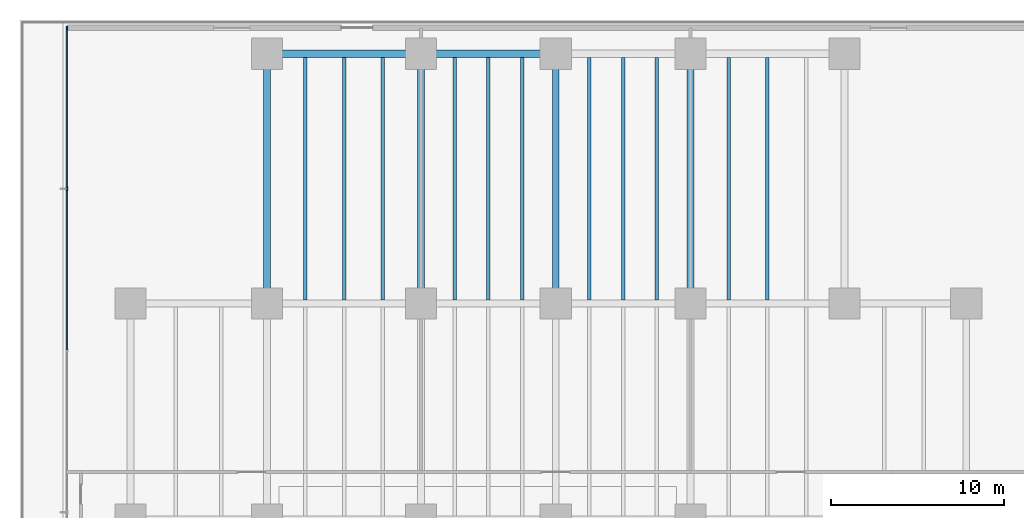
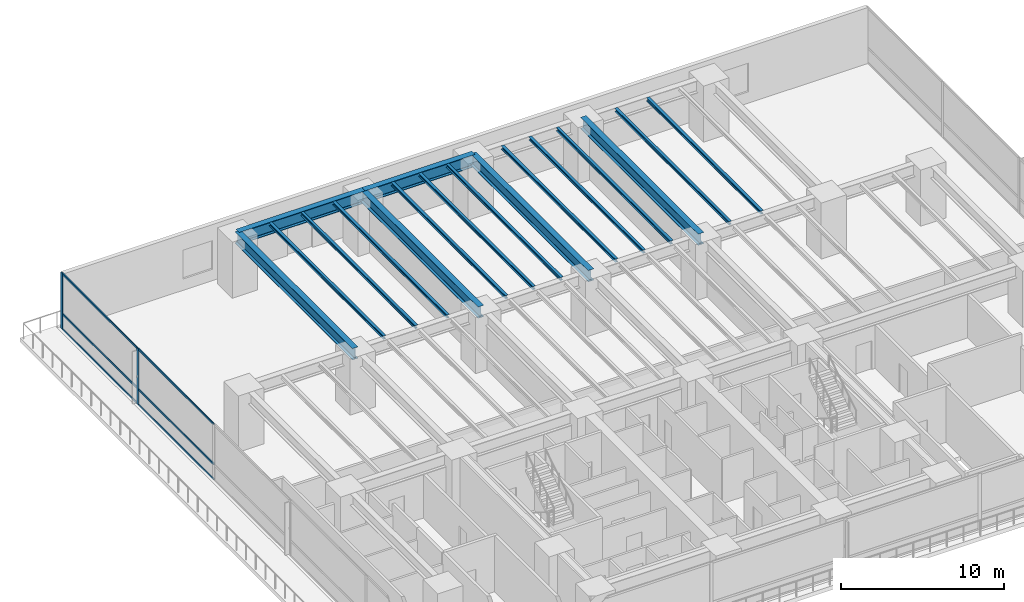
# One storey, part 4 of 21: 17 beams, 8 members, 1 element without a shape of its own.
"""IFC4 building model written with IfcOpenShell, lengths in metres."""

from ifc_helpers import new_model, si_unit, direction, frame, origin, origin_2d, place, context, subcontext, project, spatial, rectangle, i_section, extrude, material, layer, layer_set, material_profile, profile_set, type_object, element, aggregate, save


model = new_model("IFC4")

# Units and contexts
model_context = context("Model", 3, precision=1e-05, world=origin(), true_north=direction((0.0, 1.0)))
body_context = subcontext(model_context, "Body", "Model", "MODEL_VIEW")
ifc_project = project(units=[si_unit("LENGTHUNIT", "METRE"), si_unit("AREAUNIT", "SQUARE_METRE"), si_unit("VOLUMEUNIT", "CUBIC_METRE"), si_unit("PLANEANGLEUNIT", "RADIAN"), si_unit("MASSUNIT", "GRAM", prefix="KILO")], contexts=[model_context])

# Site, building, storey
site_placement = place(None, origin())
site = spatial("IfcSite", under=ifc_project, at=site_placement, CompositionType="ELEMENT")
building_placement = place(site_placement, origin())
building = spatial("IfcBuilding", under=site, at=building_placement, Name="Qalmaran Belvedere Hotel", CompositionType="ELEMENT")
storey_placement = place(building_placement, frame((0.0, 0.0, 23.800048828125)))
storey = spatial("IfcBuildingStorey", under=building, at=storey_placement, Name="L05", CompositionType="ELEMENT", Elevation=23.800048828125)

# Beams
ifc_material_1 = material(Name="Steel S355JR", Category="steel")
ifc_material_profile_1 = material_profile(ifc_material_1, i_section(OverallWidth=0.201904296875, OverallDepth=0.2470703125, WebThickness=0.00732421875, FlangeThickness=0.010986328125, FilletRadius=0.011962890625, at=origin_2d()), Name="W250X49")
ifc_profile_set_1 = profile_set([ifc_material_profile_1], Name="Steel S355JR")
beam_type_1 = type_object("IfcBeamType", Name="BM-JST-W250X49", PredefinedType="JOIST", material=ifc_profile_set_1)
for number, where, z_axis, x_axis, name in (
    (1, (22.5, 33.2080078125, 4.076416015625), (0.0, 1.0, 0.0), (-1.0, 0.0, 0.0), "L05 Podium North-Ballroom Joist 044"),
    (2, (24.75, 33.2080078125, 4.076416015625), (0.0, 1.0, 0.0), (-1.0, 0.0, 0.0), "L05 Podium North-Ballroom Joist 046"),
    (3, (27.0, 33.2080078125, 4.076416015625), (0.0, 1.0, 0.0), (-1.0, 0.0, 0.0), "L05 Podium North-Ballroom Joist 048"),
    (4, (31.14990234375, 33.2080078125, 4.076416015625), (0.0, 1.0, 0.0), (-1.0, 0.0, 0.0), "L05 Podium North-Ballroom Joist 050"),
    (5, (33.10009765625, 33.2080078125, 4.076416015625), (0.0, 1.0, 0.0), (-1.0, 0.0, 0.0), "L05 Podium North-Ballroom Joist 052"),
    (6, (35.050048828125, 33.2080078125, 4.076416015625), (0.0, 1.0, 0.0), (-1.0, 0.0, 0.0), "L05 Podium North-Ballroom Joist 054"),
    (7, (38.949951171875, 33.2080078125, 4.076416015625), (0.0, 1.0, 0.0), (-1.0, 0.0, 0.0), "L05 Podium North-Ballroom Joist 056"),
    (8, (40.89990234375, 33.2080078125, 4.076416015625), (0.0, 1.0, 0.0), (-1.0, 0.0, 0.0), "L05 Podium North-Ballroom Joist 058"),
    (9, (42.85009765625, 33.2080078125, 4.076416015625), (0.0, 1.0, 0.0), (-1.0, 0.0, 0.0), "L05 Podium North-Ballroom Joist 060"),
    (10, (47.0, 33.2080078125, 4.076416015625), (0.0, 1.0, 0.0), (-1.0, 0.0, 0.0), "L05 Podium North-Ballroom Joist 062"),
    (11, (49.25, 33.2080078125, 4.076416015625), (0.0, 1.0, 0.0), (-1.0, 0.0, 0.0), "L05 Podium North-Ballroom Joist 064"),
):
    element("IfcBeam", number, at=place(storey_placement, frame(where, z_axis=z_axis, x_axis=x_axis)), inside=storey, type_object=beam_type_1, Name=name, PredefinedType="JOIST", context=body_context, shape_type="SweptSolid", body=[
        extrude(i_section(OverallWidth=0.201904296875, OverallDepth=0.2470703125, WebThickness=0.00732421875, FlangeThickness=0.010986328125, FilletRadius=0.011962890625, at=origin_2d()), origin(), (0.0, 0.0, 1.0), 14.033935546875),
    ])
ifc_material_profile_2 = material_profile(ifc_material_1, i_section(OverallWidth=0.419921875, OverallDepth=0.9208984375, WebThickness=0.021240234375, FlangeThickness=0.03662109375, FilletRadius=0.02392578125, at=origin_2d()), Name="W920X387")
ifc_profile_set_2 = profile_set([ifc_material_profile_2], Name="Steel S355JR")
beam_type_2 = type_object("IfcBeamType", Name="BM-PG1-W920X387", PredefinedType="USERDEFINED", material=ifc_profile_set_2)
beam_1_placement = place(storey_placement, frame((20.300048828125, 47.449951171875, 3.739501953125), z_axis=(1.0, 0.0, 0.0), x_axis=(0.0, 1.0, 0.0)))
element("IfcBeam", 12, at=beam_1_placement, inside=storey, type_object=beam_type_2, Name="L05 Podium Primary Girder GX18", ObjectType="GIRDER", PredefinedType="USERDEFINED", context=body_context, shape_type="SweptSolid", body=[
    extrude(i_section(OverallWidth=0.419921875, OverallDepth=0.9208984375, WebThickness=0.021240234375, FlangeThickness=0.03662109375, FilletRadius=0.02392578125, at=origin_2d()), origin(), (0.0, 0.0, 1.0), 8.89990234375),
])
beam_2_placement = place(storey_placement, frame((29.199951171875, 47.449951171875, 3.739501953125), z_axis=(1.0, 0.0, 0.0), x_axis=(0.0, 1.0, 0.0)))
element("IfcBeam", 13, at=beam_2_placement, inside=storey, type_object=beam_type_2, Name="L05 Podium Primary Girder GX19", ObjectType="GIRDER", PredefinedType="USERDEFINED", context=body_context, shape_type="SweptSolid", body=[
    extrude(i_section(OverallWidth=0.419921875, OverallDepth=0.9208984375, WebThickness=0.021240234375, FlangeThickness=0.03662109375, FilletRadius=0.02392578125, at=origin_2d()), origin(), (0.0, 0.0, 1.0), 7.800048828125),
])
ifc_material_profile_3 = material_profile(ifc_material_1, i_section(OverallWidth=0.39990234375, OverallDepth=0.85498046875, WebThickness=0.018310546875, FlangeThickness=0.029296875, FilletRadius=0.02392578125, at=origin_2d()), Name="W840X299")
ifc_profile_set_3 = profile_set([ifc_material_profile_3], Name="Steel S355JR")
beam_type_3 = type_object("IfcBeamType", Name="BM-PG3-W840X299", PredefinedType="USERDEFINED", material=ifc_profile_set_3)
for number, where, z_axis, x_axis, name in (
    (14, (20.300048828125, 33.0, 3.7724609375), (0.0, 1.0, 0.0), (-1.0, 0.0, 0.0), "L05 Podium Transverse Girder GY27"),
    (15, (29.199951171875, 33.0, 3.7724609375), (0.0, 1.0, 0.0), (-1.0, 0.0, 0.0), "L05 Podium Transverse Girder GY30"),
    (16, (37.0, 33.0, 3.7724609375), (0.0, 1.0, 0.0), (-1.0, 0.0, 0.0), "L05 Podium Transverse Girder GY33"),
    (17, (44.800048828125, 33.0, 3.7724609375), (0.0, 1.0, 0.0), (-1.0, 0.0, 0.0), "L05 Podium Transverse Girder GY37"),
):
    element("IfcBeam", number, at=place(storey_placement, frame(where, z_axis=z_axis, x_axis=x_axis)), inside=storey, type_object=beam_type_3, Name=name, ObjectType="GIRDER", PredefinedType="USERDEFINED", context=body_context, shape_type="SweptSolid", body=[
        extrude(i_section(OverallWidth=0.39990234375, OverallDepth=0.85498046875, WebThickness=0.018310546875, FlangeThickness=0.029296875, FilletRadius=0.02392578125, at=origin_2d()), origin(), (0.0, 0.0, 1.0), 14.449951171875),
    ])

# Curtain wall, members
ifc_material_2 = material(Name="Anodised Bronze Aluminium", Category="aluminium")
ifc_layer = layer(ifc_material_2, 0.219970703125, Name="Anodised Bronze Aluminium")
ifc_layer_set = layer_set([ifc_layer], Name="Anodised Bronze Aluminium")
curtain_wall_type = type_object("IfcCurtainWallType", Name="CW1-PODIUM-BRONZE", PredefinedType="NOTDEFINED", material=ifc_layer_set)
curtain_wall_placement = place(storey_placement, origin())
curtain_wall = element("IfcCurtainWall", 18, at=curtain_wall_placement, inside=storey, type_object=curtain_wall_type, Name="L05 Curtain Wall CW1", PredefinedType="NOTDEFINED")
ifc_material_profile_4 = material_profile(ifc_material_2, rectangle(XDim=0.074951171875, YDim=0.219970703125, at=origin_2d()), Name="CWM75X220")
ifc_profile_set_4 = profile_set([ifc_material_profile_4], Name="Anodised Bronze Aluminium")
member_type_1 = type_object("IfcMemberType", Name="CWM-75X220", PredefinedType="MULLION", material=ifc_profile_set_4)
member_1_placement = place(storey_placement, frame((8.719970703125, 48.9423828125, 0.0), z_axis=(0.0, 0.0, 1.0), x_axis=(1.0, 0.0, 0.0)))
member_1 = element("IfcMember", 19, at=member_1_placement, type_object=member_type_1, Name="CW1 mullion 1", PredefinedType="MULLION", context=body_context, shape_type="SweptSolid", body=[
    extrude(rectangle(XDim=0.074951171875, YDim=0.219970703125, at=origin_2d()), origin(), (0.0, 0.0, 1.0), 4.199951171875),
])
member_2_placement = place(storey_placement, frame((8.719970703125, 39.6279296875, 0.0), z_axis=(0.0, 0.0, 1.0), x_axis=(1.0, 0.0, 0.0)))
member_2 = element("IfcMember", 20, at=member_2_placement, type_object=member_type_1, Name="CW1 mullion 2", PredefinedType="MULLION", context=body_context, shape_type="SweptSolid", body=[
    extrude(rectangle(XDim=0.074951171875, YDim=0.219970703125, at=origin_2d()), origin(), (0.0, 0.0, 1.0), 4.199951171875),
])
ifc_material_profile_5 = material_profile(ifc_material_2, rectangle(XDim=0.070068359375, YDim=0.14990234375, at=origin_2d()), Name="CWT70X150")
ifc_profile_set_5 = profile_set([ifc_material_profile_5], Name="Anodised Bronze Aluminium")
member_type_2 = type_object("IfcMemberType", Name="CWT-70X150", PredefinedType="USERDEFINED", material=ifc_profile_set_5)
member_3_placement = place(storey_placement, frame((8.719970703125, 48.905029296875, 0.034912109375), z_axis=(0.0, -1.0, 0.0), x_axis=(1.0, 0.0, 0.0)))
member_3 = element("IfcMember", 21, at=member_3_placement, type_object=member_type_2, Name="CW1 transom 1.1", ObjectType="TRANSOM", PredefinedType="USERDEFINED", context=body_context, shape_type="SweptSolid", body=[
    extrude(rectangle(XDim=0.070068359375, YDim=0.14990234375, at=origin_2d()), origin(), (0.0, 0.0, 1.0), 9.239501953125),
])
member_4_placement = place(storey_placement, frame((8.719970703125, 48.905029296875, 1.176025390625), z_axis=(0.0, -1.0, 0.0), x_axis=(1.0, 0.0, 0.0)))
member_4 = element("IfcMember", 22, at=member_4_placement, type_object=member_type_2, Name="CW1 transom 1.2", ObjectType="TRANSOM", PredefinedType="USERDEFINED", context=body_context, shape_type="SweptSolid", body=[
    extrude(rectangle(XDim=0.070068359375, YDim=0.14990234375, at=origin_2d()), origin(), (0.0, 0.0, 1.0), 9.239501953125),
])
member_5_placement = place(storey_placement, frame((8.719970703125, 48.905029296875, 4.1650390625), z_axis=(0.0, -1.0, 0.0), x_axis=(1.0, 0.0, 0.0)))
member_5 = element("IfcMember", 23, at=member_5_placement, type_object=member_type_2, Name="CW1 transom 1.3", ObjectType="TRANSOM", PredefinedType="USERDEFINED", context=body_context, shape_type="SweptSolid", body=[
    extrude(rectangle(XDim=0.070068359375, YDim=0.14990234375, at=origin_2d()), origin(), (0.0, 0.0, 1.0), 9.239501953125),
])
member_6_placement = place(storey_placement, frame((8.719970703125, 39.590576171875, 0.034912109375), z_axis=(0.0, -1.0, 0.0), x_axis=(1.0, 0.0, 0.0)))
member_6 = element("IfcMember", 24, at=member_6_placement, type_object=member_type_2, Name="CW1 transom 2.1", ObjectType="TRANSOM", PredefinedType="USERDEFINED", context=body_context, shape_type="SweptSolid", body=[
    extrude(rectangle(XDim=0.070068359375, YDim=0.14990234375, at=origin_2d()), origin(), (0.0, 0.0, 1.0), 9.277099609375),
])
member_7_placement = place(storey_placement, frame((8.719970703125, 39.590576171875, 1.176025390625), z_axis=(0.0, -1.0, 0.0), x_axis=(1.0, 0.0, 0.0)))
member_7 = element("IfcMember", 25, at=member_7_placement, type_object=member_type_2, Name="CW1 transom 2.2", ObjectType="TRANSOM", PredefinedType="USERDEFINED", context=body_context, shape_type="SweptSolid", body=[
    extrude(rectangle(XDim=0.070068359375, YDim=0.14990234375, at=origin_2d()), origin(), (0.0, 0.0, 1.0), 9.277099609375),
])
member_8_placement = place(storey_placement, frame((8.719970703125, 39.590576171875, 4.1650390625), z_axis=(0.0, -1.0, 0.0), x_axis=(1.0, 0.0, 0.0)))
member_8 = element("IfcMember", 26, at=member_8_placement, type_object=member_type_2, Name="CW1 transom 2.3", ObjectType="TRANSOM", PredefinedType="USERDEFINED", context=body_context, shape_type="SweptSolid", body=[
    extrude(rectangle(XDim=0.070068359375, YDim=0.14990234375, at=origin_2d()), origin(), (0.0, 0.0, 1.0), 9.277099609375),
])
aggregate(curtain_wall, [member_1, member_2, member_3, member_4, member_5, member_6, member_7, member_8])

save(model, "model.ifc")
